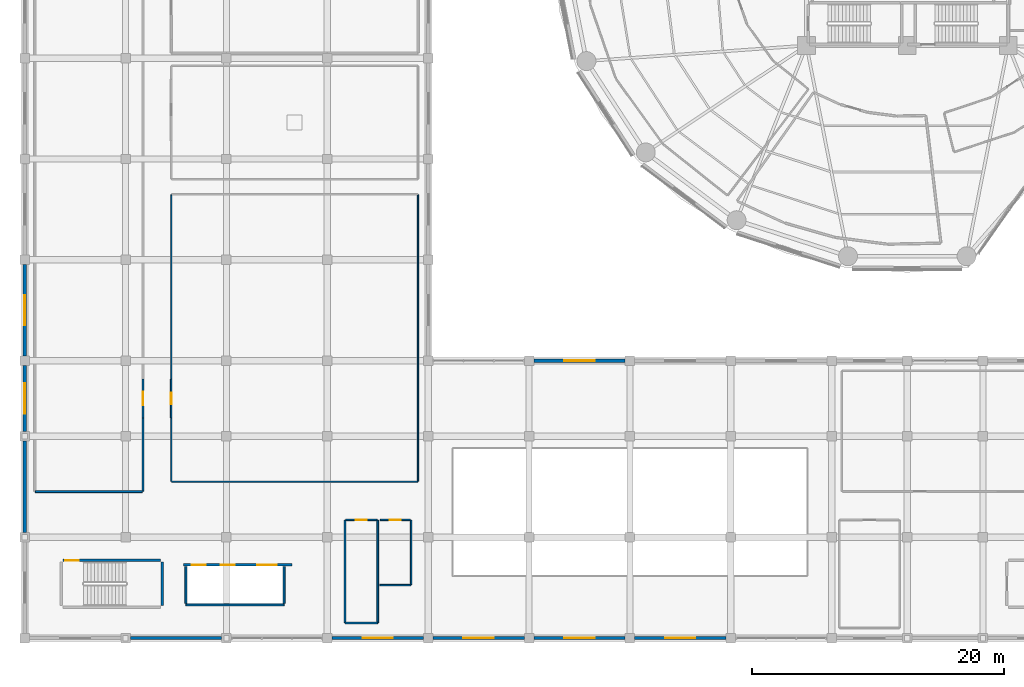
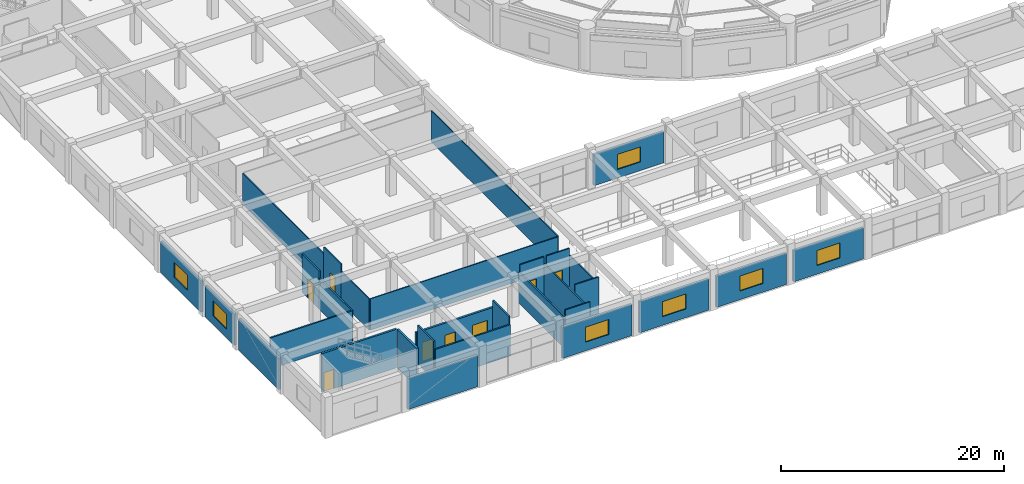
# One storey, part 40 of 55: 30 walls, 8 doors, 7 windows, 15 openings.
"""IFC4 building model written with IfcOpenShell, lengths in metres."""

from ifc_helpers import new_model, si_unit, direction, frame, frame_2d, origin, place, context, subcontext, project, spatial, rectangle, extrude, material, layer, layer_set, type_object, element, fill, save


model = new_model("IFC4")

# Units and contexts
model_context = context("Model", 3, precision=1e-05, world=origin(), true_north=direction((0.0, 1.0)))
body_context = subcontext(model_context, "Body", "Model", "MODEL_VIEW")
ifc_project = project(units=[si_unit("LENGTHUNIT", "METRE"), si_unit("AREAUNIT", "SQUARE_METRE"), si_unit("VOLUMEUNIT", "CUBIC_METRE"), si_unit("PLANEANGLEUNIT", "RADIAN"), si_unit("MASSUNIT", "GRAM", prefix="KILO")], contexts=[model_context])

# Site, building, storey
site_placement = place(None, origin())
site = spatial("IfcSite", under=ifc_project, at=site_placement, CompositionType="ELEMENT")
building_placement = place(site_placement, origin())
building = spatial("IfcBuilding", under=site, at=building_placement, Name="Kelanora Arch Commons", CompositionType="ELEMENT")
storey_placement = place(building_placement, frame((0.0, 0.0, 4.5)))
storey = spatial("IfcBuildingStorey", under=building, at=storey_placement, Name="L01", CompositionType="ELEMENT", Elevation=4.5)

# Walls
ifc_material_1 = material(Name="Autoclaved aerated concrete blockwork with fire plaster", Category="masonry")
ifc_layer_1 = layer(ifc_material_1, 0.14990234375)
ifc_layer_set_1 = layer_set([ifc_layer_1], Name="Autoclaved aerated concrete blockwork with fire plaster")
wall_type_1 = type_object("IfcWallType", Name="W-COMP-150", PredefinedType="PARTITIONING", material=ifc_layer_set_1)
wall_1_placement = place(storey_placement, frame((16.780029296875, 6.639892578125, 0.0), z_axis=(0.0, 0.0, 1.0), x_axis=(1.0, 0.0, 0.0)))
element("IfcWall", 1, at=wall_1_placement, inside=storey, type_object=wall_type_1, Name="Market South Lift Bank Back Wall L01", PredefinedType="PARTITIONING", context=body_context, shape_type="SweptSolid", body=[
    extrude(rectangle(XDim=7.7900390625, YDim=0.14990234375, at=frame_2d((3.89501953125, 0.0))), origin(), (0.0, 0.0, 1.0), 3.425048828125),
])
for number, where, z_axis, x_axis, name in (
    (2, (16.780029296875, 6.760009765625, 0.0), (0.0, 0.0, 1.0), (0.0, 1.0, 0.0), "Market South Lift Bank West Wall L01"),
    (3, (24.570068359375, 6.760009765625, 0.0), (0.0, 0.0, 1.0), (0.0, 1.0, 0.0), "Market South Lift Bank East Wall L01"),
):
    element("IfcWall", number, at=place(storey_placement, frame(where, z_axis=z_axis, x_axis=x_axis)), inside=storey, type_object=wall_type_1, Name=name, PredefinedType="PARTITIONING", context=body_context, shape_type="SweptSolid", body=[
        extrude(rectangle(XDim=2.909912109375, YDim=0.14990234375, at=frame_2d((1.455078125, 0.0))), origin(), (0.0, 0.0, 1.0), 4.22998046875),
    ])

# Wall, opening, door
wall_2_placement = place(storey_placement, frame((13.3798828125, 21.4599609375, 0.0), z_axis=(0.0, 0.0, 1.0), x_axis=(0.0, 1.0, 0.0)))
wall_2 = element("IfcWall", 4, at=wall_2_placement, inside=storey, type_object=wall_type_1, Name="Market West Vendor Bulk Store L01 Entry Partition", PredefinedType="PARTITIONING", context=body_context, shape_type="SweptSolid", body=[
    extrude(rectangle(XDim=3.080078125, YDim=0.14990234375, at=frame_2d((1.5400390625, 0.0))), origin(), (0.0, 0.0, 1.0), 4.18994140625),
])
opening_1_placement = place(wall_2_placement, frame((1.0, 0.0, 0.0)))
opening_1 = element("IfcOpeningElement", 5, at=opening_1_placement, cuts=wall_2, Name="Opening D-PLT1", PredefinedType="OPENING", context=body_context, shape_type="SweptSolid", body=[
    extrude(rectangle(XDim=1.080078125, YDim=2.10009765625, at=frame_2d((0.5400390625, 1.050048828125))), frame((0.0, 0.0849609375, 0.0), z_axis=(0.0, -1.0, 0.0), x_axis=(1.0, 0.0, 0.0)), (0.0, 0.0, 1.0), 0.169921875),
])
ifc_material_2 = material(Name="Galvanised steel plant and riser fire door", Category="steel")
door_type_1 = type_object("IfcDoorType", Name="D-PLT-110", OperationType="NOTDEFINED", PredefinedType="DOOR", material=ifc_material_2)
door_1_placement = place(opening_1_placement, origin())
door_1 = element("IfcDoor", 6, at=door_1_placement, inside=storey, type_object=door_type_1, Name="Market West Vendor Bulk Store L01 Door", OperationType="SINGLE_SWING_LEFT", OverallHeight=2.10009765625, OverallWidth=1.080078125, PredefinedType="DOOR", context=body_context, shape_type="SweptSolid", body=[
    extrude(rectangle(XDim=1.080078125, YDim=2.10009765625, at=frame_2d((0.5400390625, 1.050048828125))), frame((0.0, 0.02490234375, 0.0), z_axis=(0.0, -1.0, 0.0), x_axis=(1.0, 0.0, 0.0)), (0.0, 0.0, 1.0), 0.050048828125),
])
fill(opening_1, door_1)

# Walls
wall_3_placement = place(storey_placement, frame((4.840087890625, 15.6201171875, 0.0), z_axis=(0.0, 0.0, 1.0), x_axis=(1.0, 0.0, 0.0)))
element("IfcWall", 7, at=wall_3_placement, inside=storey, type_object=wall_type_1, Name="Market West Vendor Bulk Store L01 Enclosure Partition 1", PredefinedType="PARTITIONING", context=body_context, shape_type="SweptSolid", body=[
    extrude(rectangle(XDim=8.5, YDim=0.14990234375, at=frame_2d((4.25, 0.0))), origin(), (0.0, 0.0, 1.0), 3.425048828125),
])
wall_4_placement = place(storey_placement, frame((13.3798828125, 15.659912109375, 0.0), z_axis=(0.0, 0.0, 1.0), x_axis=(0.0, 1.0, 0.0)))
element("IfcWall", 8, at=wall_4_placement, inside=storey, type_object=wall_type_1, Name="Market West Vendor Bulk Store L01 Enclosure Partition 2", PredefinedType="PARTITIONING", context=body_context, shape_type="SweptSolid", body=[
    extrude(rectangle(XDim=5.800048828125, YDim=0.14990234375, at=frame_2d((2.89990234375, 0.0))), origin(), (0.0, 0.0, 1.0), 3.425048828125),
])
ifc_material_3 = material(Name="Precast concrete C40/50 with terracotta ceramic cladding", Category="masonry")
ifc_layer_2 = layer(ifc_material_3, 0.25)
ifc_layer_set_2 = layer_set([ifc_layer_2], Name="Precast concrete C40/50 with terracotta ceramic cladding")
wall_type_2 = type_object("IfcWallType", Name="W-EXT-MKT", PredefinedType="SOLIDWALL", material=ifc_layer_set_2)
wall_5_placement = place(storey_placement, frame((12.3798828125, 4.0, 0.0), z_axis=(0.0, 0.0, 1.0), x_axis=(1.0, 0.0, 0.0)))
element("IfcWall", 9, at=wall_5_placement, inside=storey, type_object=wall_type_2, Name="Market Hall Exterior Wall L01-01", PredefinedType="SOLIDWALL", context=body_context, shape_type="SweptSolid", body=[
    extrude(rectangle(XDim=7.240234375, YDim=0.25, at=frame_2d((3.6201171875, 0.0))), origin(), (0.0, 0.0, 1.0), 3.419921875),
])

# Wall, opening, window
wall_6_placement = place(storey_placement, frame((28.3798828125, 4.0, 0.0), z_axis=(0.0, 0.0, 1.0), x_axis=(1.0, 0.0, 0.0)))
wall_6 = element("IfcWall", 10, at=wall_6_placement, inside=storey, type_object=wall_type_2, Name="Market Hall Exterior Wall L01-03", PredefinedType="SOLIDWALL", context=body_context, shape_type="SweptSolid", body=[
    extrude(rectangle(XDim=7.240234375, YDim=0.25, at=frame_2d((3.6201171875, 0.0))), origin(), (0.0, 0.0, 1.0), 3.419921875),
])
opening_2_placement = place(wall_6_placement, frame((2.419921875, 0.0, 0.949951171875)))
opening_2 = element("IfcOpeningElement", 11, at=opening_2_placement, cuts=wall_6, Name="Opening WN-03", PredefinedType="OPENING", context=body_context, shape_type="SweptSolid", body=[
    extrude(rectangle(XDim=2.39990234375, YDim=1.64990234375, at=frame_2d((1.199951171875, 0.824951171875))), frame((0.0, 0.135009765625, 0.0), z_axis=(0.0, -1.0, 0.0), x_axis=(1.0, 0.0, 0.0)), (0.0, 0.0, 1.0), 0.27001953125),
])
ifc_material_4 = material(Name="Bronze-terracotta aluminium monsoon clerestory window", Category="masonry")
window_type = type_object("IfcWindowType", Name="WIN-MKT-24", PartitioningType="TRIPLE_PANEL_VERTICAL", PredefinedType="WINDOW", material=ifc_material_4)
window_1_placement = place(opening_2_placement, origin())
window_1 = element("IfcWindow", 12, at=window_1_placement, inside=storey, type_object=window_type, Name="Market Hall Clerestory Window L01-03", OverallHeight=1.64990234375, OverallWidth=2.39990234375, PartitioningType="SINGLE_PANEL", PredefinedType="WINDOW", context=body_context, shape_type="SweptSolid", body=[
    extrude(rectangle(XDim=2.39990234375, YDim=1.64990234375, at=frame_2d((1.199951171875, 0.824951171875))), frame((0.0, 0.030029296875, 0.0), z_axis=(0.0, -1.0, 0.0), x_axis=(1.0, 0.0, 0.0)), (0.0, 0.0, 1.0), 0.06005859375),
])
fill(opening_2, window_1)

wall_7_placement = place(storey_placement, frame((36.3798828125, 4.0, 0.0), z_axis=(0.0, 0.0, 1.0), x_axis=(1.0, 0.0, 0.0)))
wall_7 = element("IfcWall", 13, at=wall_7_placement, inside=storey, type_object=wall_type_2, Name="Market Hall Exterior Wall L01-04", PredefinedType="SOLIDWALL", context=body_context, shape_type="SweptSolid", body=[
    extrude(rectangle(XDim=7.240234375, YDim=0.25, at=frame_2d((3.6201171875, 0.0))), origin(), (0.0, 0.0, 1.0), 3.419921875),
])
opening_3_placement = place(wall_7_placement, frame((2.419921875, 0.0, 0.949951171875)))
opening_3 = element("IfcOpeningElement", 14, at=opening_3_placement, cuts=wall_7, Name="Opening WN-03", PredefinedType="OPENING", context=body_context, shape_type="SweptSolid", body=[
    extrude(rectangle(XDim=2.39990234375, YDim=1.64990234375, at=frame_2d((1.199951171875, 0.824951171875))), frame((0.0, 0.135009765625, 0.0), z_axis=(0.0, -1.0, 0.0), x_axis=(1.0, 0.0, 0.0)), (0.0, 0.0, 1.0), 0.27001953125),
])
window_2_placement = place(opening_3_placement, origin())
window_2 = element("IfcWindow", 15, at=window_2_placement, inside=storey, type_object=window_type, Name="Market Hall Clerestory Window L01-04", OverallHeight=1.64990234375, OverallWidth=2.39990234375, PartitioningType="SINGLE_PANEL", PredefinedType="WINDOW", context=body_context, shape_type="SweptSolid", body=[
    extrude(rectangle(XDim=2.39990234375, YDim=1.64990234375, at=frame_2d((1.199951171875, 0.824951171875))), frame((0.0, 0.030029296875, 0.0), z_axis=(0.0, -1.0, 0.0), x_axis=(1.0, 0.0, 0.0)), (0.0, 0.0, 1.0), 0.06005859375),
])
fill(opening_3, window_2)

wall_8_placement = place(storey_placement, frame((44.3798828125, 4.0, 0.0), z_axis=(0.0, 0.0, 1.0), x_axis=(1.0, 0.0, 0.0)))
wall_8 = element("IfcWall", 16, at=wall_8_placement, inside=storey, type_object=wall_type_2, Name="Market Hall Exterior Wall L01-05", PredefinedType="SOLIDWALL", context=body_context, shape_type="SweptSolid", body=[
    extrude(rectangle(XDim=7.240234375, YDim=0.25, at=frame_2d((3.6201171875, 0.0))), origin(), (0.0, 0.0, 1.0), 3.419921875),
])
opening_4_placement = place(wall_8_placement, frame((2.419921875, 0.0, 0.949951171875)))
opening_4 = element("IfcOpeningElement", 17, at=opening_4_placement, cuts=wall_8, Name="Opening WN-03", PredefinedType="OPENING", context=body_context, shape_type="SweptSolid", body=[
    extrude(rectangle(XDim=2.39990234375, YDim=1.64990234375, at=frame_2d((1.199951171875, 0.824951171875))), frame((0.0, 0.135009765625, 0.0), z_axis=(0.0, -1.0, 0.0), x_axis=(1.0, 0.0, 0.0)), (0.0, 0.0, 1.0), 0.27001953125),
])
window_3_placement = place(opening_4_placement, origin())
window_3 = element("IfcWindow", 18, at=window_3_placement, inside=storey, type_object=window_type, Name="Market Hall Clerestory Window L01-05", OverallHeight=1.64990234375, OverallWidth=2.39990234375, PartitioningType="SINGLE_PANEL", PredefinedType="WINDOW", context=body_context, shape_type="SweptSolid", body=[
    extrude(rectangle(XDim=2.39990234375, YDim=1.64990234375, at=frame_2d((1.199951171875, 0.824951171875))), frame((0.0, 0.030029296875, 0.0), z_axis=(0.0, -1.0, 0.0), x_axis=(1.0, 0.0, 0.0)), (0.0, 0.0, 1.0), 0.06005859375),
])
fill(opening_4, window_3)

wall_9_placement = place(storey_placement, frame((52.3798828125, 4.0, 0.0), z_axis=(0.0, 0.0, 1.0), x_axis=(1.0, 0.0, 0.0)))
wall_9 = element("IfcWall", 19, at=wall_9_placement, inside=storey, type_object=wall_type_2, Name="Market Hall Exterior Wall L01-06", PredefinedType="SOLIDWALL", context=body_context, shape_type="SweptSolid", body=[
    extrude(rectangle(XDim=7.240234375, YDim=0.25, at=frame_2d((3.6201171875, 0.0))), origin(), (0.0, 0.0, 1.0), 3.419921875),
])
opening_5_placement = place(wall_9_placement, frame((2.419921875, 0.0, 0.949951171875)))
opening_5 = element("IfcOpeningElement", 20, at=opening_5_placement, cuts=wall_9, Name="Opening WN-03", PredefinedType="OPENING", context=body_context, shape_type="SweptSolid", body=[
    extrude(rectangle(XDim=2.39990234375, YDim=1.64990234375, at=frame_2d((1.199951171875, 0.824951171875))), frame((0.0, 0.135009765625, 0.0), z_axis=(0.0, -1.0, 0.0), x_axis=(1.0, 0.0, 0.0)), (0.0, 0.0, 1.0), 0.27001953125),
])
window_4_placement = place(opening_5_placement, origin())
window_4 = element("IfcWindow", 21, at=window_4_placement, inside=storey, type_object=window_type, Name="Market Hall Clerestory Window L01-06", OverallHeight=1.64990234375, OverallWidth=2.39990234375, PartitioningType="SINGLE_PANEL", PredefinedType="WINDOW", context=body_context, shape_type="SweptSolid", body=[
    extrude(rectangle(XDim=2.39990234375, YDim=1.64990234375, at=frame_2d((1.199951171875, 0.824951171875))), frame((0.0, 0.030029296875, 0.0), z_axis=(0.0, -1.0, 0.0), x_axis=(1.0, 0.0, 0.0)), (0.0, 0.0, 1.0), 0.06005859375),
])
fill(opening_5, window_4)

wall_10_placement = place(storey_placement, frame((51.6201171875, 26.0, 0.0), z_axis=(0.0, 0.0, 1.0), x_axis=(-1.0, 0.0, 0.0)))
wall_10 = element("IfcWall", 22, at=wall_10_placement, inside=storey, type_object=wall_type_2, Name="Market Hall Exterior Wall L01-21", PredefinedType="SOLIDWALL", context=body_context, shape_type="SweptSolid", body=[
    extrude(rectangle(XDim=7.240234375, YDim=0.25, at=frame_2d((3.6201171875, 0.0))), origin(), (0.0, 0.0, 1.0), 3.419921875),
])
opening_6_placement = place(wall_10_placement, frame((2.419921875, 0.0, 0.949951171875)))
opening_6 = element("IfcOpeningElement", 23, at=opening_6_placement, cuts=wall_10, Name="Opening WN-03", PredefinedType="OPENING", context=body_context, shape_type="SweptSolid", body=[
    extrude(rectangle(XDim=2.39990234375, YDim=1.64990234375, at=frame_2d((1.199951171875, 0.824951171875))), frame((0.0, 0.135009765625, 0.0), z_axis=(0.0, -1.0, 0.0), x_axis=(1.0, 0.0, 0.0)), (0.0, 0.0, 1.0), 0.27001953125),
])
window_5_placement = place(opening_6_placement, origin())
window_5 = element("IfcWindow", 24, at=window_5_placement, inside=storey, type_object=window_type, Name="Market Hall Clerestory Window L01-21", OverallHeight=1.64990234375, OverallWidth=2.39990234375, PartitioningType="SINGLE_PANEL", PredefinedType="WINDOW", context=body_context, shape_type="SweptSolid", body=[
    extrude(rectangle(XDim=2.39990234375, YDim=1.64990234375, at=frame_2d((1.199951171875, 0.824951171875))), frame((0.0, 0.030029296875, 0.0), z_axis=(0.0, -1.0, 0.0), x_axis=(1.0, 0.0, 0.0)), (0.0, 0.0, 1.0), 0.06005859375),
])
fill(opening_6, window_5)

wall_11_placement = place(storey_placement, frame((4.0, 33.6201171875, 0.0), z_axis=(0.0, 0.0, 1.0), x_axis=(0.0, -1.0, 0.0)))
wall_11 = element("IfcWall", 25, at=wall_11_placement, inside=storey, type_object=wall_type_2, Name="Market Hall Exterior Wall L01-40", PredefinedType="SOLIDWALL", context=body_context, shape_type="SweptSolid", body=[
    extrude(rectangle(XDim=7.240234375, YDim=0.25, at=frame_2d((3.6201171875, 0.0))), origin(), (0.0, 0.0, 1.0), 3.419921875),
])
opening_7_placement = place(wall_11_placement, frame((2.419921875, 0.0, 0.949951171875)))
opening_7 = element("IfcOpeningElement", 26, at=opening_7_placement, cuts=wall_11, Name="Opening WN-03", PredefinedType="OPENING", context=body_context, shape_type="SweptSolid", body=[
    extrude(rectangle(XDim=2.39990234375, YDim=1.64990234375, at=frame_2d((1.199951171875, 0.824951171875))), frame((0.0, 0.135009765625, 0.0), z_axis=(0.0, -1.0, 0.0), x_axis=(1.0, 0.0, 0.0)), (0.0, 0.0, 1.0), 0.27001953125),
])
window_6_placement = place(opening_7_placement, origin())
window_6 = element("IfcWindow", 27, at=window_6_placement, inside=storey, type_object=window_type, Name="Market Hall Clerestory Window L01-40", OverallHeight=1.64990234375, OverallWidth=2.39990234375, PartitioningType="SINGLE_PANEL", PredefinedType="WINDOW", context=body_context, shape_type="SweptSolid", body=[
    extrude(rectangle(XDim=2.39990234375, YDim=1.64990234375, at=frame_2d((1.199951171875, 0.824951171875))), frame((0.0, 0.030029296875, 0.0), z_axis=(0.0, -1.0, 0.0), x_axis=(1.0, 0.0, 0.0)), (0.0, 0.0, 1.0), 0.06005859375),
])
fill(opening_7, window_6)

wall_12_placement = place(storey_placement, frame((4.0, 25.6201171875, 0.0), z_axis=(0.0, 0.0, 1.0), x_axis=(0.0, -1.0, 0.0)))
wall_12 = element("IfcWall", 28, at=wall_12_placement, inside=storey, type_object=wall_type_2, Name="Market Hall Exterior Wall L01-41", PredefinedType="SOLIDWALL", context=body_context, shape_type="SweptSolid", body=[
    extrude(rectangle(XDim=5.240234375, YDim=0.25, at=frame_2d((2.6201171875, 0.0))), origin(), (0.0, 0.0, 1.0), 3.419921875),
])
opening_8_placement = place(wall_12_placement, frame((1.419921875, 0.0, 0.949951171875)))
opening_8 = element("IfcOpeningElement", 29, at=opening_8_placement, cuts=wall_12, Name="Opening WN-03", PredefinedType="OPENING", context=body_context, shape_type="SweptSolid", body=[
    extrude(rectangle(XDim=2.39990234375, YDim=1.64990234375, at=frame_2d((1.199951171875, 0.824951171875))), frame((0.0, 0.135009765625, 0.0), z_axis=(0.0, -1.0, 0.0), x_axis=(1.0, 0.0, 0.0)), (0.0, 0.0, 1.0), 0.27001953125),
])
window_7_placement = place(opening_8_placement, origin())
window_7 = element("IfcWindow", 30, at=window_7_placement, inside=storey, type_object=window_type, Name="Market Hall Clerestory Window L01-41", OverallHeight=1.64990234375, OverallWidth=2.39990234375, PartitioningType="SINGLE_PANEL", PredefinedType="WINDOW", context=body_context, shape_type="SweptSolid", body=[
    extrude(rectangle(XDim=2.39990234375, YDim=1.64990234375, at=frame_2d((1.199951171875, 0.824951171875))), frame((0.0, 0.030029296875, 0.0), z_axis=(0.0, -1.0, 0.0), x_axis=(1.0, 0.0, 0.0)), (0.0, 0.0, 1.0), 0.06005859375),
])
fill(opening_8, window_7)

# Wall
wall_13_placement = place(storey_placement, frame((4.0, 19.6201171875, 0.0), z_axis=(0.0, 0.0, 1.0), x_axis=(0.0, -1.0, 0.0)))
element("IfcWall", 31, at=wall_13_placement, inside=storey, type_object=wall_type_2, Name="Market Hall Exterior Wall L01-42", PredefinedType="SOLIDWALL", context=body_context, shape_type="SweptSolid", body=[
    extrude(rectangle(XDim=7.240234375, YDim=0.25, at=frame_2d((3.6201171875, 0.0))), origin(), (0.0, 0.0, 1.0), 3.419921875),
])

# Wall, openings, doors
ifc_material_5 = material(Name="Concrete C40/50", Category="concrete")
ifc_layer_3 = layer(ifc_material_5, 0.199951171875)
ifc_layer_set_3 = layer_set([ifc_layer_3], Name="Concrete C40/50")
wall_type_3 = type_object("IfcWallType", Name="W-FFL-200", PredefinedType="SOLIDWALL", material=ifc_layer_set_3)
wall_14_placement = place(storey_placement, frame((16.60009765625, 9.800048828125, 0.0), z_axis=(0.0, 0.0, 1.0), x_axis=(1.0, 0.0, 0.0)))
wall_14 = element("IfcWall", 32, at=wall_14_placement, inside=storey, type_object=wall_type_3, Name="Market South Lift Shaft Front L01", PredefinedType="SOLIDWALL", context=body_context, shape_type="SweptSolid", body=[
    extrude(rectangle(XDim=8.599853515625, YDim=0.199951171875, at=frame_2d((4.2998046875, 0.0))), origin(), (0.0, 0.0, 1.0), 3.425048828125),
])
opening_9_placement = place(wall_14_placement, frame((0.64990234375, 0.0, 0.0)))
opening_9 = element("IfcOpeningElement", 33, at=opening_9_placement, cuts=wall_14, Name="Opening LD-01", PredefinedType="OPENING", context=body_context, shape_type="SweptSolid", body=[
    extrude(rectangle(XDim=1.10009765625, YDim=2.10009765625, at=frame_2d((0.550048828125, 1.050048828125))), frame((0.0, 0.10986328125, 0.0), z_axis=(0.0, -1.0, 0.0), x_axis=(1.0, 0.0, 0.0)), (0.0, 0.0, 1.0), 0.219970703125),
])
opening_10_placement = place(wall_14_placement, frame((2.949951171875, 0.0, 0.0)))
opening_10 = element("IfcOpeningElement", 34, at=opening_10_placement, cuts=wall_14, Name="Opening LD-01", PredefinedType="OPENING", context=body_context, shape_type="SweptSolid", body=[
    extrude(rectangle(XDim=1.10009765625, YDim=2.10009765625, at=frame_2d((0.550048828125, 1.050048828125))), frame((0.0, 0.10986328125, 0.0), z_axis=(0.0, -1.0, 0.0), x_axis=(1.0, 0.0, 0.0)), (0.0, 0.0, 1.0), 0.219970703125),
])
opening_11_placement = place(wall_14_placement, frame((5.824951171875, 0.0, 0.0)))
opening_11 = element("IfcOpeningElement", 35, at=opening_11_placement, cuts=wall_14, Name="Opening LD-GD", PredefinedType="OPENING", context=body_context, shape_type="SweptSolid", body=[
    extrude(rectangle(XDim=1.550048828125, YDim=2.199951171875, at=frame_2d((0.77490234375, 1.10009765625))), frame((0.0, 0.10986328125, 0.0), z_axis=(0.0, -1.0, 0.0), x_axis=(1.0, 0.0, 0.0)), (0.0, 0.0, 1.0), 0.219970703125),
])
ifc_material_6 = material(Name="Stainless steel passenger lift sliding landing door", Category="steel")
door_type_2 = type_object("IfcDoorType", Name="D-LIFT-110", OperationType="NOTDEFINED", PredefinedType="DOOR", material=ifc_material_6)
door_2_placement = place(opening_9_placement, origin())
door_2 = element("IfcDoor", 36, at=door_2_placement, inside=storey, type_object=door_type_2, Name="Market Lift LF-MP1 Landing Door L01", OperationType="DOUBLE_DOOR_SLIDING", OverallHeight=2.10009765625, OverallWidth=1.10009765625, PredefinedType="DOOR", context=body_context, shape_type="SweptSolid", body=[
    extrude(rectangle(XDim=1.10009765625, YDim=2.10009765625, at=frame_2d((0.550048828125, 1.050048828125))), frame((0.0, 0.02490234375, 0.0), z_axis=(0.0, -1.0, 0.0), x_axis=(1.0, 0.0, 0.0)), (0.0, 0.0, 1.0), 0.050048828125),
])
fill(opening_9, door_2)
door_3_placement = place(opening_10_placement, origin())
door_3 = element("IfcDoor", 37, at=door_3_placement, inside=storey, type_object=door_type_2, Name="Market Lift LF-MP2 Landing Door L01", OperationType="DOUBLE_DOOR_SLIDING", OverallHeight=2.10009765625, OverallWidth=1.10009765625, PredefinedType="DOOR", context=body_context, shape_type="SweptSolid", body=[
    extrude(rectangle(XDim=1.10009765625, YDim=2.10009765625, at=frame_2d((0.550048828125, 1.050048828125))), frame((0.0, 0.02490234375, 0.0), z_axis=(0.0, -1.0, 0.0), x_axis=(1.0, 0.0, 0.0)), (0.0, 0.0, 1.0), 0.050048828125),
])
fill(opening_10, door_3)
ifc_material_7 = material(Name="Heavy-duty goods lift bi-parting sliding landing door")
door_type_3 = type_object("IfcDoorType", Name="D-LIFT-GDS", OperationType="NOTDEFINED", PredefinedType="DOOR", material=ifc_material_7)
door_4_placement = place(opening_11_placement, origin())
door_4 = element("IfcDoor", 38, at=door_4_placement, inside=storey, type_object=door_type_3, Name="Market Lift LF-MG1 Landing Door L01", OperationType="DOUBLE_DOOR_SLIDING", OverallHeight=2.199951171875, OverallWidth=1.550048828125, PredefinedType="DOOR", context=body_context, shape_type="SweptSolid", body=[
    extrude(rectangle(XDim=1.550048828125, YDim=2.199951171875, at=frame_2d((0.77490234375, 1.10009765625))), frame((0.0, 0.02490234375, 0.0), z_axis=(0.0, -1.0, 0.0), x_axis=(1.0, 0.0, 0.0)), (0.0, 0.0, 1.0), 0.050048828125),
])
fill(opening_11, door_4)

# Walls
ifc_material_8 = material(Name="Lightweight fire-rated acoustic stud partition")
ifc_layer_4 = layer(ifc_material_8, 0.10009765625)
ifc_layer_set_4 = layer_set([ifc_layer_4], Name="Lightweight fire-rated acoustic stud partition")
wall_type_4 = type_object("IfcWallType", Name="W-PART-100", PredefinedType="PARTITIONING", material=ifc_layer_set_4)
wall_15_placement = place(storey_placement, frame((15.659912109375, 16.39990234375, 0.0), z_axis=(0.0, 0.0, 1.0), x_axis=(1.0, 0.0, 0.0)))
element("IfcWall", 39, at=wall_15_placement, inside=storey, type_object=wall_type_4, Name="Mezzanine Artisan Spice and Tea Stalls Enclosure Partition 1", PredefinedType="PARTITIONING", context=body_context, shape_type="SweptSolid", body=[
    extrude(rectangle(XDim=19.5, YDim=0.10009765625, at=frame_2d((9.75, 0.0))), origin(), (0.0, 0.0, 1.0), 3.425048828125),
])
wall_16_placement = place(storey_placement, frame((35.199951171875, 16.43994140625, 0.0), z_axis=(0.0, 0.0, 1.0), x_axis=(0.0, 1.0, 0.0)))
element("IfcWall", 40, at=wall_16_placement, inside=storey, type_object=wall_type_4, Name="Mezzanine Artisan Spice and Tea Stalls Enclosure Partition 2", PredefinedType="PARTITIONING", context=body_context, shape_type="SweptSolid", body=[
    extrude(rectangle(XDim=22.719970703125, YDim=0.10009765625, at=frame_2d((11.35986328125, 0.0))), origin(), (0.0, 0.0, 1.0), 3.425048828125),
])
wall_17_placement = place(storey_placement, frame((15.6201171875, 39.159912109375, 0.0), z_axis=(0.0, 0.0, 1.0), x_axis=(0.0, -1.0, 0.0)))
element("IfcWall", 41, at=wall_17_placement, inside=storey, type_object=wall_type_4, Name="Mezzanine Artisan Spice and Tea Stalls Enclosure Partition 4", PredefinedType="PARTITIONING", context=body_context, shape_type="SweptSolid", body=[
    extrude(rectangle(XDim=14.619873046875, YDim=0.10009765625, at=frame_2d((7.31005859375, 0.0))), origin(), (0.0, 0.0, 1.0), 3.425048828125),
])
wall_18_placement = place(storey_placement, frame((15.6201171875, 21.4599609375, 0.0), z_axis=(0.0, 0.0, 1.0), x_axis=(0.0, -1.0, 0.0)))
element("IfcWall", 42, at=wall_18_placement, inside=storey, type_object=wall_type_4, Name="Mezzanine Artisan Spice and Tea Stalls Enclosure Partition 4", PredefinedType="PARTITIONING", context=body_context, shape_type="SweptSolid", body=[
    extrude(rectangle(XDim=5.02001953125, YDim=0.10009765625, at=frame_2d((2.510009765625, 0.0))), origin(), (0.0, 0.0, 1.0), 3.425048828125),
])

# Wall, opening, door
ifc_material_9 = material(Name="Acoustic twin-stud fire-rated gypsum partition")
ifc_layer_5 = layer(ifc_material_9, 0.1201171875)
ifc_layer_set_5 = layer_set([ifc_layer_5], Name="Acoustic twin-stud fire-rated gypsum partition")
wall_type_5 = type_object("IfcWallType", Name="W-PART-120", PredefinedType="PARTITIONING", material=ifc_layer_set_5)
wall_19_placement = place(storey_placement, frame((15.6201171875, 21.4599609375, 0.0), z_axis=(0.0, 0.0, 1.0), x_axis=(0.0, 1.0, 0.0)))
wall_19 = element("IfcWall", 43, at=wall_19_placement, inside=storey, type_object=wall_type_5, Name="Mezzanine Artisan Spice and Tea Stalls Entry Partition", PredefinedType="PARTITIONING", context=body_context, shape_type="SweptSolid", body=[
    extrude(rectangle(XDim=3.080078125, YDim=0.1201171875, at=frame_2d((1.5400390625, 0.0))), origin(), (0.0, 0.0, 1.0), 4.18994140625),
])
opening_12_placement = place(wall_19_placement, frame((1.090087890625, 0.0, 0.0)))
opening_12 = element("IfcOpeningElement", 44, at=opening_12_placement, cuts=wall_19, Name="Opening D-RM1", PredefinedType="OPENING", context=body_context, shape_type="SweptSolid", body=[
    extrude(rectangle(XDim=0.89990234375, YDim=2.080078125, at=frame_2d((0.449951171875, 1.0400390625))), frame((0.0, 0.070068359375, 0.0), z_axis=(0.0, -1.0, 0.0), x_axis=(1.0, 0.0, 0.0)), (0.0, 0.0, 1.0), 0.14013671875),
])
ifc_material_10 = material(Name="Acoustic fire-rated timber study and lounge door", Category="wood")
door_type_4 = type_object("IfcDoorType", Name="D-ROOM-90", OperationType="NOTDEFINED", PredefinedType="DOOR", material=ifc_material_10)
door_5_placement = place(opening_12_placement, origin())
door_5 = element("IfcDoor", 45, at=door_5_placement, inside=storey, type_object=door_type_4, Name="Mezzanine Artisan Spice and Tea Stalls Door", OperationType="SINGLE_SWING_RIGHT", OverallHeight=2.080078125, OverallWidth=0.89990234375, PredefinedType="DOOR", context=body_context, shape_type="SweptSolid", body=[
    extrude(rectangle(XDim=0.89990234375, YDim=2.080078125, at=frame_2d((0.449951171875, 1.0400390625))), frame((0.0, 0.02490234375, 0.0), z_axis=(0.0, -1.0, 0.0), x_axis=(1.0, 0.0, 0.0)), (0.0, 0.0, 1.0), 0.050048828125),
])
fill(opening_12, door_5)

# Wall
ifc_layer_6 = layer(ifc_material_5, 0.199951171875)
ifc_layer_set_6 = layer_set([ifc_layer_6], Name="Concrete C40/50")
wall_type_6 = type_object("IfcWallType", Name="W-STAIR-200", PredefinedType="SHEAR", material=ifc_layer_set_6)
wall_20_placement = place(storey_placement, frame((14.89990234375, 6.580078125, 0.0), z_axis=(0.0, 0.0, 1.0), x_axis=(0.0, 1.0, 0.0)))
element("IfcWall", 46, at=wall_20_placement, inside=storey, type_object=wall_type_6, Name="Stair ST-M1 Shaft Wall E L01", PredefinedType="SHEAR", context=body_context, shape_type="SweptSolid", body=[
    extrude(rectangle(XDim=3.469970703125, YDim=0.199951171875, at=frame_2d((1.73486328125, 0.0))), origin(), (0.0, 0.0, 1.0), 4.239990234375),
])

# Wall, opening, door
wall_21_placement = place(storey_placement, frame((14.780029296875, 10.169921875, 0.0), z_axis=(0.0, 0.0, 1.0), x_axis=(-1.0, 0.0, 0.0)))
wall_21 = element("IfcWall", 47, at=wall_21_placement, inside=storey, type_object=wall_type_6, Name="Stair ST-M1 Shaft Wall N L01", PredefinedType="SHEAR", context=body_context, shape_type="SweptSolid", body=[
    extrude(rectangle(XDim=7.760009765625, YDim=0.199951171875, at=frame_2d((3.8798828125, 0.0))), origin(), (0.0, 0.0, 1.0), 4.239990234375),
])
opening_13_placement = place(wall_21_placement, frame((6.510009765625, 0.0, 0.0)))
opening_13 = element("IfcOpeningElement", 48, at=opening_13_placement, cuts=wall_21, Name="Opening D-ST1", PredefinedType="OPENING", context=body_context, shape_type="SweptSolid", body=[
    extrude(rectangle(XDim=1.050048828125, YDim=2.10009765625, at=frame_2d((0.52490234375, 1.050048828125))), frame((0.0, 0.10986328125, 0.0), z_axis=(0.0, -1.0, 0.0), x_axis=(1.0, 0.0, 0.0)), (0.0, 0.0, 1.0), 0.219970703125),
])
ifc_material_11 = material(Name="Steel fire-rated stairwell escape door", Category="steel")
door_type_5 = type_object("IfcDoorType", Name="D-STAIR-110", OperationType="NOTDEFINED", PredefinedType="DOOR", material=ifc_material_11)
door_6_placement = place(opening_13_placement, origin())
door_6 = element("IfcDoor", 49, at=door_6_placement, inside=storey, type_object=door_type_5, Name="Stair ST-M1 Escape Door L01", OperationType="SINGLE_SWING_RIGHT", OverallHeight=2.10009765625, OverallWidth=1.050048828125, PredefinedType="DOOR", context=body_context, shape_type="SweptSolid", body=[
    extrude(rectangle(XDim=1.050048828125, YDim=2.10009765625, at=frame_2d((0.52490234375, 1.050048828125))), frame((0.0, 0.02490234375, 0.0), z_axis=(0.0, -1.0, 0.0), x_axis=(1.0, 0.0, 0.0)), (0.0, 0.0, 1.0), 0.050048828125),
])
fill(opening_13, door_6)

ifc_material_12 = material(Name="Moisture-resistant fire-rated cement-board plumbing wall")
ifc_layer_7 = layer(ifc_material_12, 0.1298828125)
ifc_layer_set_7 = layer_set([ifc_layer_7], Name="Moisture-resistant fire-rated cement-board plumbing wall")
wall_type_7 = type_object("IfcWallType", Name="W-WET-120", PredefinedType="PLUMBINGWALL", material=ifc_layer_set_7)
wall_22_placement = place(storey_placement, frame((29.4599609375, 13.3798828125, 0.0), z_axis=(0.0, 0.0, 1.0), x_axis=(1.0, 0.0, 0.0)))
wall_22 = element("IfcWall", 50, at=wall_22_placement, inside=storey, type_object=wall_type_7, Name="Market Public Toilets L01 Entry Partition", PredefinedType="PLUMBINGWALL", context=body_context, shape_type="SweptSolid", body=[
    extrude(rectangle(XDim=2.47998046875, YDim=0.1298828125, at=frame_2d((1.239990234375, 0.0))), origin(), (0.0, 0.0, 1.0), 4.18994140625),
])
opening_14_placement = place(wall_22_placement, frame((0.81005859375, 0.0, 0.0)))
opening_14 = element("IfcOpeningElement", 51, at=opening_14_placement, cuts=wall_22, Name="Opening D-BT1", PredefinedType="OPENING", context=body_context, shape_type="SweptSolid", body=[
    extrude(rectangle(XDim=0.860107421875, YDim=2.050048828125, at=frame_2d((0.43017578125, 1.02490234375))), frame((0.0, 0.074951171875, 0.0), z_axis=(0.0, -1.0, 0.0), x_axis=(1.0, 0.0, 0.0)), (0.0, 0.0, 1.0), 0.14990234375),
])
ifc_material_13 = material(Name="Moisture-sealed fire-rated accessible bathroom door")
door_type_6 = type_object("IfcDoorType", Name="D-BATH-85", OperationType="NOTDEFINED", PredefinedType="DOOR", material=ifc_material_13)
door_7_placement = place(opening_14_placement, origin())
door_7 = element("IfcDoor", 52, at=door_7_placement, inside=storey, type_object=door_type_6, Name="Market Public Toilets L01 Door", OperationType="SINGLE_SWING_RIGHT", OverallHeight=2.050048828125, OverallWidth=0.860107421875, PredefinedType="DOOR", context=body_context, shape_type="SweptSolid", body=[
    extrude(rectangle(XDim=0.860107421875, YDim=2.050048828125, at=frame_2d((0.43017578125, 1.02490234375))), frame((0.0, 0.02490234375, 0.0), z_axis=(0.0, -1.0, 0.0), x_axis=(1.0, 0.0, 0.0)), (0.0, 0.0, 1.0), 0.050048828125),
])
fill(opening_14, door_7)

wall_23_placement = place(storey_placement, frame((32.2099609375, 13.3798828125, 0.0), z_axis=(0.0, 0.0, 1.0), x_axis=(1.0, 0.0, 0.0)))
wall_23 = element("IfcWall", 53, at=wall_23_placement, inside=storey, type_object=wall_type_7, Name="Market Accessible WC L01 Entry Partition", PredefinedType="PLUMBINGWALL", context=body_context, shape_type="SweptSolid", body=[
    extrude(rectangle(XDim=2.380126953125, YDim=0.1298828125, at=frame_2d((1.18994140625, 0.0))), origin(), (0.0, 0.0, 1.0), 4.18994140625),
])
opening_15_placement = place(wall_23_placement, frame((0.760009765625, 0.0, 0.0)))
opening_15 = element("IfcOpeningElement", 54, at=opening_15_placement, cuts=wall_23, Name="Opening D-BT1", PredefinedType="OPENING", context=body_context, shape_type="SweptSolid", body=[
    extrude(rectangle(XDim=0.860107421875, YDim=2.050048828125, at=frame_2d((0.43017578125, 1.02490234375))), frame((0.0, 0.074951171875, 0.0), z_axis=(0.0, -1.0, 0.0), x_axis=(1.0, 0.0, 0.0)), (0.0, 0.0, 1.0), 0.14990234375),
])
door_8_placement = place(opening_15_placement, origin())
door_8 = element("IfcDoor", 55, at=door_8_placement, inside=storey, type_object=door_type_6, Name="Market Accessible WC L01 Door", OperationType="SINGLE_SWING_LEFT", OverallHeight=2.050048828125, OverallWidth=0.860107421875, PredefinedType="DOOR", context=body_context, shape_type="SweptSolid", body=[
    extrude(rectangle(XDim=0.860107421875, YDim=2.050048828125, at=frame_2d((0.43017578125, 1.02490234375))), frame((0.0, 0.02490234375, 0.0), z_axis=(0.0, -1.0, 0.0), x_axis=(1.0, 0.0, 0.0)), (0.0, 0.0, 1.0), 0.050048828125),
])
fill(opening_15, door_8)

# Walls
wall_24_placement = place(storey_placement, frame((29.419921875, 5.199951171875, 0.0), z_axis=(0.0, 0.0, 1.0), x_axis=(1.0, 0.0, 0.0)))
element("IfcWall", 56, at=wall_24_placement, inside=storey, type_object=wall_type_7, Name="Market Public Toilets L01 Enclosure Partition 1", PredefinedType="PLUMBINGWALL", context=body_context, shape_type="SweptSolid", body=[
    extrude(rectangle(XDim=2.56005859375, YDim=0.1298828125, at=frame_2d((1.280029296875, 0.0))), origin(), (0.0, 0.0, 1.0), 4.18994140625),
])
for number, where, z_axis, x_axis, name in (
    (57, (32.0, 5.219970703125, 0.0), (0.0, 0.0, 1.0), (0.0, 1.0, 0.0), "Market Public Toilets L01 Enclosure Partition 2"),
    (58, (29.39990234375, 13.360107421875, 0.0), (0.0, 0.0, 1.0), (0.0, -1.0, 0.0), "Market Public Toilets L01 Enclosure Partition 4"),
):
    element("IfcWall", number, at=place(storey_placement, frame(where, z_axis=z_axis, x_axis=x_axis)), inside=storey, type_object=wall_type_7, Name=name, PredefinedType="PLUMBINGWALL", context=body_context, shape_type="SweptSolid", body=[
        extrude(rectangle(XDim=8.14013671875, YDim=0.1298828125, at=frame_2d((4.070068359375, 0.0))), origin(), (0.0, 0.0, 1.0), 3.425048828125),
    ])
wall_25_placement = place(storey_placement, frame((32.169921875, 8.199951171875, 0.0), z_axis=(0.0, 0.0, 1.0), x_axis=(1.0, 0.0, 0.0)))
element("IfcWall", 59, at=wall_25_placement, inside=storey, type_object=wall_type_7, Name="Market Accessible WC L01 Enclosure Partition 1", PredefinedType="PLUMBINGWALL", context=body_context, shape_type="SweptSolid", body=[
    extrude(rectangle(XDim=2.4599609375, YDim=0.1298828125, at=frame_2d((1.22998046875, 0.0))), origin(), (0.0, 0.0, 1.0), 4.18994140625),
])
wall_26_placement = place(storey_placement, frame((34.64990234375, 8.219970703125, 0.0), z_axis=(0.0, 0.0, 1.0), x_axis=(0.0, 1.0, 0.0)))
element("IfcWall", 60, at=wall_26_placement, inside=storey, type_object=wall_type_7, Name="Market Accessible WC L01 Enclosure Partition 2", PredefinedType="PLUMBINGWALL", context=body_context, shape_type="SweptSolid", body=[
    extrude(rectangle(XDim=5.14013671875, YDim=0.1298828125, at=frame_2d((2.570068359375, 0.0))), origin(), (0.0, 0.0, 1.0), 3.425048828125),
])

save(model, "model.ifc")
